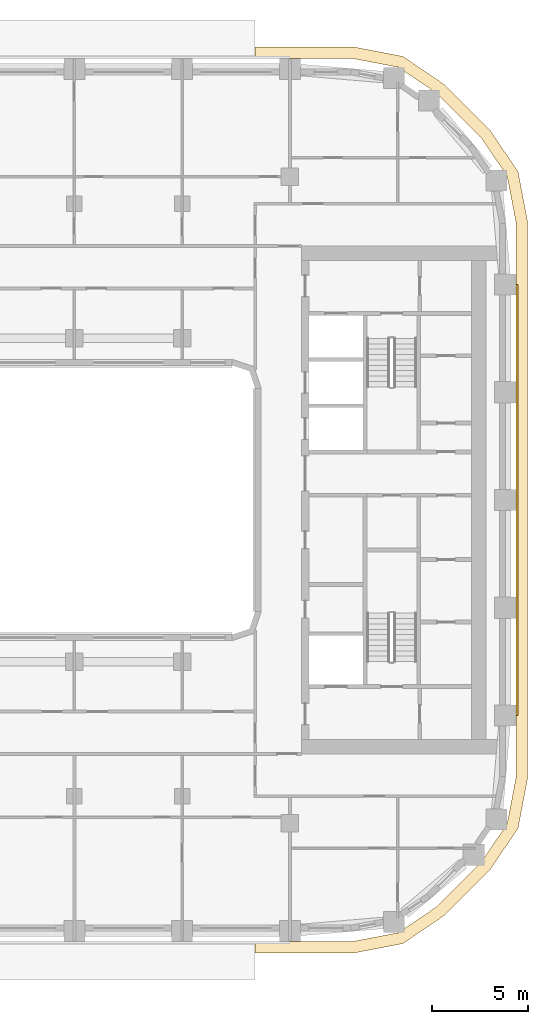
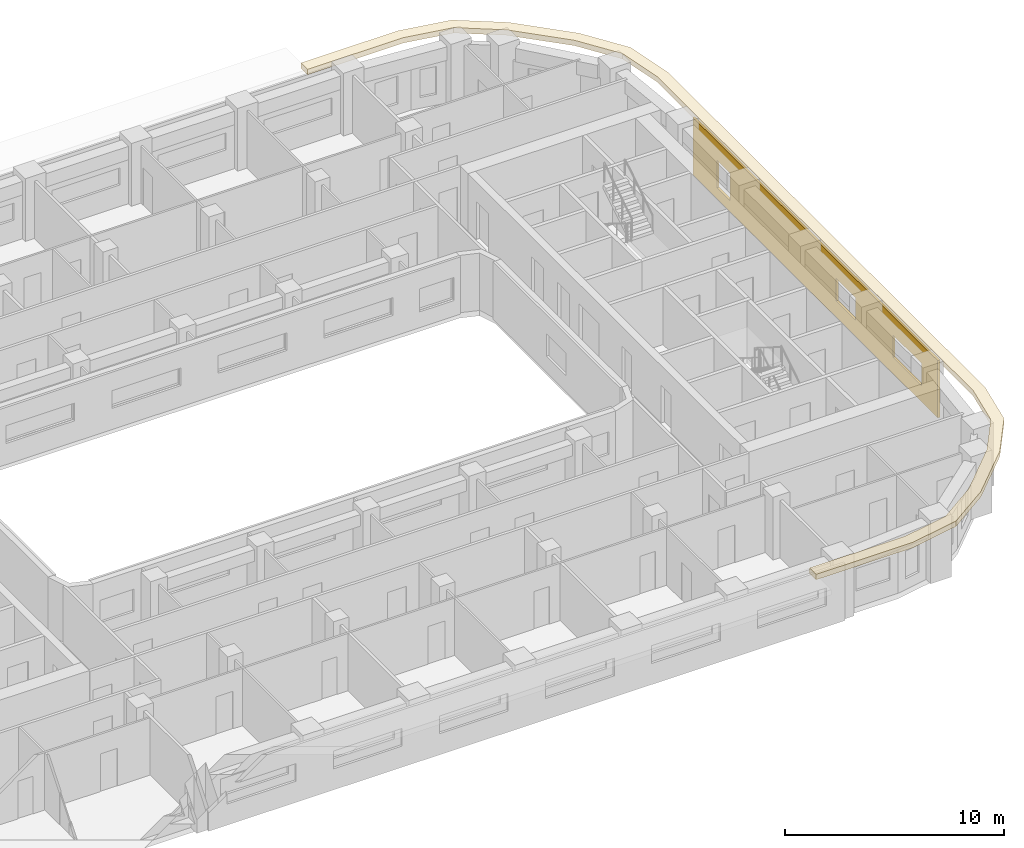
# One storey, part 18 of 22: 2 coverings.
"""IFC4 building model written with IfcOpenShell, lengths in metres."""

from ifc_helpers import new_model, si_unit, direction, frame, origin, place, context, subcontext, project, spatial, polyline, outline, extrude, material, layer, layer_set, type_object, element, save


model = new_model("IFC4")

# Units and contexts
model_context = context("Model", 3, precision=1e-05, world=origin(), true_north=direction((0.0, 1.0)))
body_context = subcontext(model_context, "Body", "Model", "MODEL_VIEW")
ifc_project = project(units=[si_unit("LENGTHUNIT", "METRE"), si_unit("AREAUNIT", "SQUARE_METRE"), si_unit("VOLUMEUNIT", "CUBIC_METRE"), si_unit("PLANEANGLEUNIT", "RADIAN"), si_unit("MASSUNIT", "GRAM", prefix="KILO")], contexts=[model_context])

# Site, building, storey
site_placement = place(None, origin())
site = spatial("IfcSite", under=ifc_project, at=site_placement, CompositionType="ELEMENT")
building_placement = place(site_placement, origin())
building = spatial("IfcBuilding", under=site, at=building_placement, Name="Kiln Ring Residences", CompositionType="ELEMENT")
storey_placement = place(building_placement, frame((0.0, 0.0, 146.60009765625)))
storey = spatial("IfcBuildingStorey", under=building, at=storey_placement, Name="L37", CompositionType="ELEMENT", Elevation=146.60009765625)

# Coverings
ifc_material_1 = material(Name="Brick masonry, dark clay brick", Category="masonry")
ifc_layer_1 = layer(ifc_material_1, 0.1201171875)
ifc_layer_set_1 = layer_set([ifc_layer_1], Name="RAINSCREEN PANEL 120")
covering_type_1 = type_object("IfcCoveringType", Name="RAINSCREEN PANEL 120", PredefinedType="CLADDING", material=ifc_layer_set_1)
covering_1_placement = place(storey_placement, frame((28.610107421875, -11.199951171875, 0.0), z_axis=(0.0, 0.0, 1.0), x_axis=(0.0, 1.0, 0.0)))
element("IfcCovering", 1, at=covering_1_placement, inside=storey, type_object=covering_type_1, Name="RAINSCREEN L37", PredefinedType="CLADDING", context=body_context, shape_type="SweptSolid", body=[
    extrude(outline(polyline([(0.0, 0.0), (22.39990234375, 0.0), (22.39990234375, 3.199951171875), (0.0, 3.199951171875), (0.0, 0.0)]), holes=[polyline([(20.199951171875, 2.14990234375), (19.0, 2.14990234375), (19.0, 0.599853515625), (20.199951171875, 0.599853515625), (20.199951171875, 2.14990234375)]), polyline([(4.10009765625, 0.89990234375), (4.10009765625, 2.14990234375), (1.5, 2.14990234375), (1.5, 0.89990234375), (4.10009765625, 0.89990234375)]), polyline([(9.300048828125, 0.89990234375), (9.300048828125, 2.14990234375), (7.5, 2.14990234375), (7.5, 0.89990234375), (9.300048828125, 0.89990234375)])]), frame((0.0, 0.06005859375, 0.0), z_axis=(0.0, -1.0, 0.0), x_axis=(1.0, 0.0, 0.0)), (0.0, 0.0, 1.0), 0.1201171875),
])
ifc_material_2 = material(Name="Black powder-coated steel", Category="steel")
ifc_layer_2 = layer(ifc_material_2, 0.300048828125)
ifc_layer_set_2 = layer_set([ifc_layer_2], Name="SUNSHADE FIN 600")
covering_type_2 = type_object("IfcCoveringType", Name="SUNSHADE FIN 600", PredefinedType="CLADDING", material=ifc_layer_set_2)
covering_2_placement = place(storey_placement, frame((0.0, 0.0, 3.199951171875)))
element("IfcCovering", 2, at=covering_2_placement, inside=storey, type_object=covering_type_2, Name="SUNSHADE FIN L37", PredefinedType="CLADDING", context=body_context, shape_type="SweptSolid", body=[
    extrude(outline(polyline([(20.108642578125, 23.550048828125), (15.0, 23.550048828125), (15.0, 22.949951171875), (20.052001953125, 22.949951171875), (22.439208984375, 22.49462890625), (24.44921875, 21.128662109375), (26.728515625, 18.84912109375), (28.0947265625, 16.839111328125), (28.550048828125, 14.451904296875), (28.550048828125, -14.451904296875), (28.0947265625, -16.839111328125), (26.728515625, -18.84912109375), (24.44921875, -21.128662109375), (22.439208984375, -22.49462890625), (20.052001953125, -22.949951171875), (15.0, -22.949951171875), (15.0, -23.550048828125), (20.108642578125, -23.550048828125), (22.673583984375, -23.060791015625), (24.83349609375, -21.593017578125), (27.193115234375, -19.2333984375), (28.66064453125, -17.07373046875), (29.14990234375, -14.5087890625), (29.14990234375, 14.5087890625), (28.66064453125, 17.07373046875), (27.193115234375, 19.2333984375), (24.83349609375, 21.593017578125), (22.673583984375, 23.060791015625), (20.108642578125, 23.550048828125)])), origin(), (0.0, 0.0, 1.0), 0.300048828125),
])

save(model, "model.ifc")
